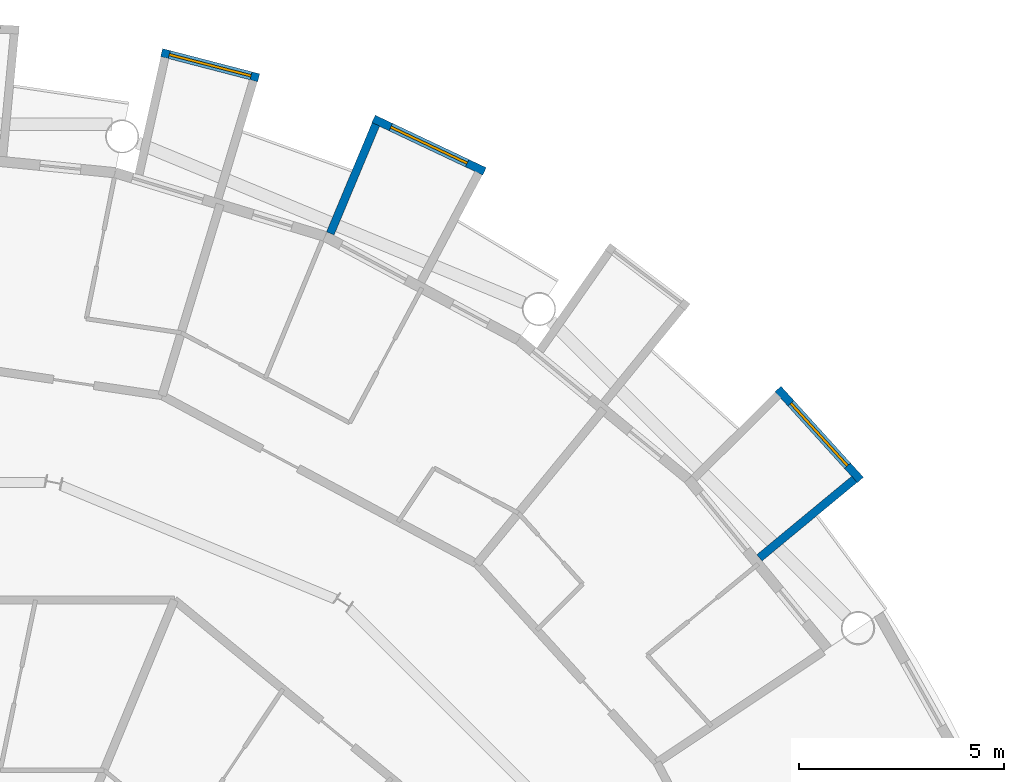
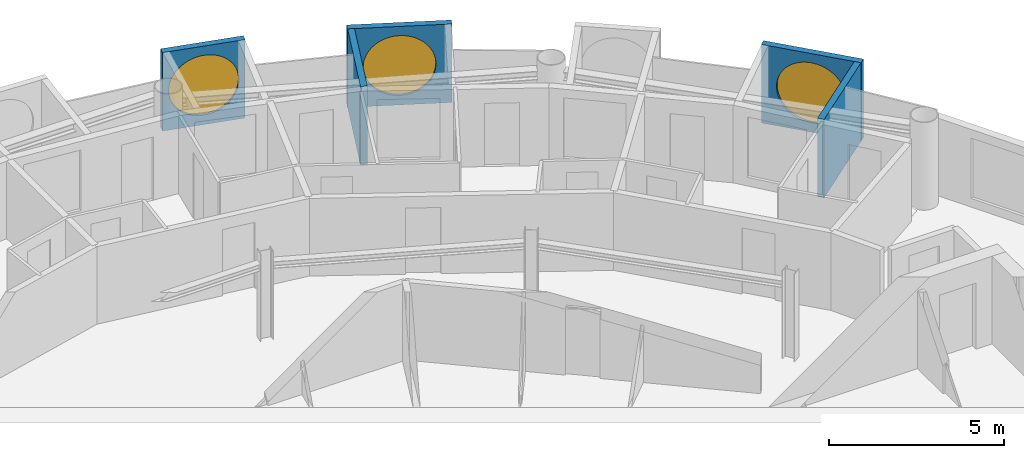
# One storey, part 25 of 29: 5 walls, 3 windows, 3 openings.
"""IFC4 building model written with IfcOpenShell, lengths in metres."""

from ifc_helpers import new_model, si_unit, direction, frame, frame_2d, origin, place, context, subcontext, project, spatial, rectangle, circle, extrude, material, layer, layer_set, type_object, element, fill, save


model = new_model("IFC4")

# Units and contexts
model_context = context("Model", 3, precision=1e-05, world=origin(), true_north=direction((0.0, 1.0)))
body_context = subcontext(model_context, "Body", "Model", "MODEL_VIEW")
ifc_project = project(units=[si_unit("LENGTHUNIT", "METRE"), si_unit("AREAUNIT", "SQUARE_METRE"), si_unit("VOLUMEUNIT", "CUBIC_METRE"), si_unit("PLANEANGLEUNIT", "RADIAN"), si_unit("MASSUNIT", "GRAM", prefix="KILO")], contexts=[model_context])

# Site, building, storey
site_placement = place(None, origin())
site = spatial("IfcSite", under=ifc_project, at=site_placement, CompositionType="ELEMENT")
building_placement = place(site_placement, origin())
building = spatial("IfcBuilding", under=site, at=building_placement, Name="Maasbend Ring Residences", CompositionType="ELEMENT")
storey_placement = place(building_placement, frame((0.0, 0.0, 212.699951171875)))
storey = spatial("IfcBuildingStorey", under=building, at=storey_placement, Name="L61", CompositionType="ELEMENT", Elevation=212.699951171875)

# Wall, opening, window
ifc_material_1 = material(Name="Pale anodised aluminium panel", Category="aluminium")
ifc_layer = layer(ifc_material_1, 0.199951171875)
ifc_layer_set = layer_set([ifc_layer], Name="EW-BOX")
wall_type = type_object("IfcWallType", Name="EW-BOX", PredefinedType="SOLIDWALL", material=ifc_layer_set)
wall_1_placement = place(storey_placement, frame((23.5029296875, 19.281982421875, -0.030029296875), z_axis=(0.0, 0.0, 1.0), x_axis=(-0.671506829416, 0.740998365753, 0.0)))
wall_1 = element("IfcWall", 1, at=wall_1_placement, inside=storey, type_object=wall_type, Name="Box front N02", PredefinedType="SOLIDWALL", context=body_context, shape_type="SweptSolid", body=[
    extrude(rectangle(XDim=2.9931640625, YDim=0.199951171875, at=frame_2d((1.49658203125, 0.0))), origin(), (0.0, 0.0, 1.0), 2.72998046875),
])
opening_1_placement = place(wall_1_placement, frame((0.45654296875, 0.0, 0.330078125)))
opening_1 = element("IfcOpeningElement", 2, at=opening_1_placement, cuts=wall_1, Name="Opening W-RD", PredefinedType="OPENING", context=body_context, shape_type="SweptSolid", body=[
    extrude(circle(Radius=1.0400390625, at=frame_2d((1.0400390625, 1.0400390625))), frame((0.0, 0.10986328125, 0.0), z_axis=(0.0, -1.0, 0.0), x_axis=(1.0, 0.0, 0.0)), (0.0, 0.0, 1.0), 0.219970703125),
])
ifc_material_2 = material(Name="Aluminium and clear glass", Category="aluminium")
window_type = type_object("IfcWindowType", Name="W-RD", PartitioningType="SINGLE_PANEL", PredefinedType="WINDOW", material=ifc_material_2)
window_1_placement = place(opening_1_placement, origin())
window_1 = element("IfcWindow", 3, at=window_1_placement, inside=storey, type_object=window_type, Name="Round window N02", OverallHeight=2.080078125, OverallWidth=2.080078125, PartitioningType="SINGLE_PANEL", PredefinedType="WINDOW", context=body_context, shape_type="SweptSolid", body=[
    extrude(circle(Radius=1.0400390625, at=frame_2d((1.0400390625, 1.0400390625))), frame((0.0, 0.030029296875, 0.0), z_axis=(0.0, -1.0, 0.0), x_axis=(1.0, 0.0, 0.0)), (0.0, 0.0, 1.0), 0.06005859375),
])
fill(opening_1, window_1)

# Wall
wall_2_placement = place(storey_placement, frame((21.041015625, 17.384033203125, -0.030029296875), z_axis=(0.0, 0.0, 1.0), x_axis=(0.770784861449, 0.63709551667, 0.0)))
element("IfcWall", 4, at=wall_2_placement, inside=storey, type_object=wall_type, Name="Box side wall N02 left", PredefinedType="SOLIDWALL", context=body_context, shape_type="SweptSolid", body=[
    extrude(rectangle(XDim=3.005859375, YDim=0.199951171875, at=frame_2d((1.5029296875, 0.0))), origin(), (0.0, 0.0, 1.0), 2.72998046875),
])

# Wall, opening, window
wall_3_placement = place(storey_placement, frame((14.3349609375, 26.80810546875, -0.030029296875), z_axis=(0.0, 0.0, 1.0), x_axis=(-0.904000060331, 0.427532327342, 0.0)))
wall_3 = element("IfcWall", 5, at=wall_3_placement, inside=storey, type_object=wall_type, Name="Box front N06", PredefinedType="SOLIDWALL", context=body_context, shape_type="SweptSolid", body=[
    extrude(rectangle(XDim=2.993408203125, YDim=0.199951171875, at=frame_2d((1.49658203125, 0.0))), origin(), (0.0, 0.0, 1.0), 2.72998046875),
])
opening_2_placement = place(wall_3_placement, frame((0.45654296875, 0.0, 0.330078125)))
opening_2 = element("IfcOpeningElement", 6, at=opening_2_placement, cuts=wall_3, Name="Opening W-RD", PredefinedType="OPENING", context=body_context, shape_type="SweptSolid", body=[
    extrude(circle(Radius=1.0400390625, at=frame_2d((1.0400390625, 1.0400390625))), frame((0.0, 0.10986328125, 0.0), z_axis=(0.0, -1.0, 0.0), x_axis=(1.0, 0.0, 0.0)), (0.0, 0.0, 1.0), 0.219970703125),
])
window_2_placement = place(opening_2_placement, origin())
window_2 = element("IfcWindow", 7, at=window_2_placement, inside=storey, type_object=window_type, Name="Round window N06", OverallHeight=2.080078125, OverallWidth=2.080078125, PartitioningType="SINGLE_PANEL", PredefinedType="WINDOW", context=body_context, shape_type="SweptSolid", body=[
    extrude(circle(Radius=1.0400390625, at=frame_2d((1.0400390625, 1.0400390625))), frame((0.0, 0.030029296875, 0.0), z_axis=(0.0, -1.0, 0.0), x_axis=(1.0, 0.0, 0.0)), (0.0, 0.0, 1.0), 0.06005859375),
])
fill(opening_2, window_2)

# Wall
wall_4_placement = place(storey_placement, frame((10.574951171875, 25.294921875, -0.030029296875), z_axis=(0.0, 0.0, 1.0), x_axis=(0.385697364644, 0.922625353492, 0.0)))
element("IfcWall", 8, at=wall_4_placement, inside=storey, type_object=wall_type, Name="Box side wall N06 right", PredefinedType="SOLIDWALL", context=body_context, shape_type="SweptSolid", body=[
    extrude(rectangle(XDim=2.88330078125, YDim=0.199951171875, at=frame_2d((1.441650390625, 0.0))), origin(), (0.0, 0.0, 1.0), 2.72998046875),
])

# Wall, opening, window
wall_5_placement = place(storey_placement, frame((8.8291015625, 29.090087890625, -0.030029296875), z_axis=(0.0, 0.0, 1.0), x_axis=(-0.96789536872, 0.251353446784, 0.0)))
wall_5 = element("IfcWall", 9, at=wall_5_placement, inside=storey, type_object=wall_type, Name="Box front N08", PredefinedType="SOLIDWALL", context=body_context, shape_type="SweptSolid", body=[
    extrude(rectangle(XDim=2.44677734375, YDim=0.199951171875, at=frame_2d((1.223388671875, 0.0))), origin(), (0.0, 0.0, 1.0), 2.72998046875),
])
opening_3_placement = place(wall_5_placement, frame((0.182861328125, 0.0, 0.330078125)))
opening_3 = element("IfcOpeningElement", 10, at=opening_3_placement, cuts=wall_5, Name="Opening W-RD", PredefinedType="OPENING", context=body_context, shape_type="SweptSolid", body=[
    extrude(circle(Radius=1.0400390625, at=frame_2d((1.0400390625, 1.0400390625))), frame((0.0, 0.10986328125, 0.0), z_axis=(0.0, -1.0, 0.0), x_axis=(1.0, 0.0, 0.0)), (0.0, 0.0, 1.0), 0.219970703125),
])
window_3_placement = place(opening_3_placement, origin())
window_3 = element("IfcWindow", 11, at=window_3_placement, inside=storey, type_object=window_type, Name="Round window N08", OverallHeight=2.080078125, OverallWidth=2.080078125, PartitioningType="SINGLE_PANEL", PredefinedType="WINDOW", context=body_context, shape_type="SweptSolid", body=[
    extrude(circle(Radius=1.0400390625, at=frame_2d((1.0400390625, 1.0400390625))), frame((0.0, 0.030029296875, 0.0), z_axis=(0.0, -1.0, 0.0), x_axis=(1.0, 0.0, 0.0)), (0.0, 0.0, 1.0), 0.06005859375),
])
fill(opening_3, window_3)

save(model, "model.ifc")
